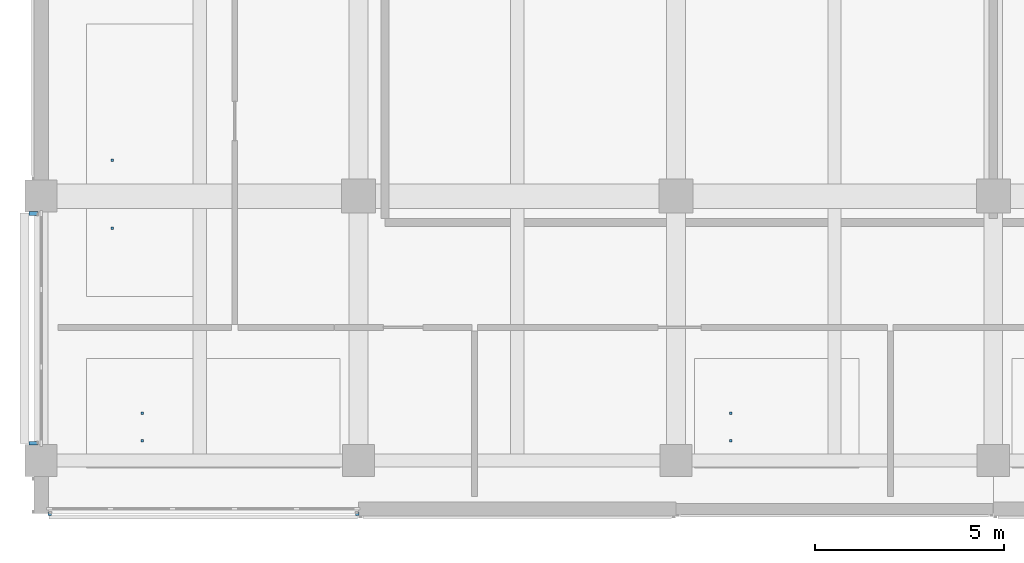
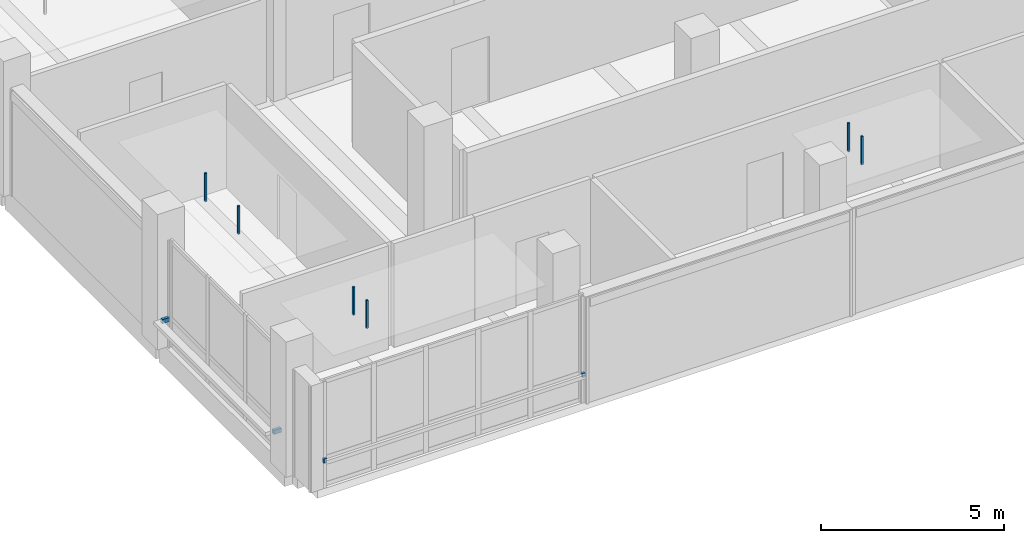
# One storey, part 14 of 36: 10 discrete accessories.
"""IFC4 building model written with IfcOpenShell, lengths in metres."""

from ifc_helpers import new_model, si_unit, direction, frame, origin, origin_2d, place, context, subcontext, project, spatial, rectangle, extrude, material, type_object, element, save


model = new_model("IFC4")

# Units and contexts
model_context = context("Model", 3, precision=1e-05, world=origin(), true_north=direction((0.0, 1.0)))
body_context = subcontext(model_context, "Body", "Model", "MODEL_VIEW")
ifc_project = project(units=[si_unit("LENGTHUNIT", "METRE"), si_unit("AREAUNIT", "SQUARE_METRE"), si_unit("VOLUMEUNIT", "CUBIC_METRE"), si_unit("PLANEANGLEUNIT", "RADIAN"), si_unit("MASSUNIT", "GRAM", prefix="KILO")], contexts=[model_context])

# Site, building, storey
site_placement = place(None, origin())
site = spatial("IfcSite", under=ifc_project, at=site_placement, CompositionType="ELEMENT")
building_placement = place(site_placement, origin())
building = spatial("IfcBuilding", under=site, at=building_placement, Name="Telukmera Botanical Conservatory", CompositionType="ELEMENT")
storey_placement = place(building_placement, frame((0.0, 0.0, 24.0)))
storey = spatial("IfcBuildingStorey", under=building, at=storey_placement, Name="L05", CompositionType="ELEMENT", Elevation=24.0)

# Discrete accessories
ifc_material = material(Name="Steel S355", Category="steel")
discrete_accessory_type_1 = type_object("IfcDiscreteAccessoryType", Name="ACC-CEIL-HGR", PredefinedType="BRACKET", material=ifc_material)
for number, where, z_axis, x_axis, name in (
    (1, (52.281982421875, 16.75, 3.320068359375), (0.0, 0.0, 1.0), (1.0, 0.0, 0.0), "L05 Suspended Ceiling Hanger Rod 027-1"),
    (2, (52.281982421875, 18.550048828125, 3.320068359375), (0.0, 0.0, 1.0), (1.0, 0.0, 0.0), "L05 Suspended Ceiling Hanger Rod 027-2"),
    (3, (53.0751953125, 11.125, 3.320068359375), (0.0, 0.0, 1.0), (1.0, 0.0, 0.0), "L05 Suspended Ceiling Hanger Rod 031-1"),
    (4, (53.0751953125, 11.85009765625, 3.320068359375), (0.0, 0.0, 1.0), (1.0, 0.0, 0.0), "L05 Suspended Ceiling Hanger Rod 031-2"),
):
    element("IfcDiscreteAccessory", number, at=place(storey_placement, frame(where, z_axis=z_axis, x_axis=x_axis)), inside=storey, type_object=discrete_accessory_type_1, Name=name, PredefinedType="BRACKET", context=body_context, shape_type="SweptSolid", body=[
        extrude(rectangle(XDim=0.06005859375, YDim=0.06005859375, at=origin_2d()), origin(), (0.0, 0.0, 1.0), 0.93505859375),
    ])
for number, where, z_axis, x_axis, name in (
    (5, (68.653076171875, 11.125, 3.31005859375), (0.0, 0.0, 1.0), (1.0, 0.0, 0.0), "L05 Suspended Ceiling Hanger Rod 032-1"),
    (6, (68.653076171875, 11.85009765625, 3.31005859375), (0.0, 0.0, 1.0), (1.0, 0.0, 0.0), "L05 Suspended Ceiling Hanger Rod 032-2"),
):
    element("IfcDiscreteAccessory", number, at=place(storey_placement, frame(where, z_axis=z_axis, x_axis=x_axis)), inside=storey, type_object=discrete_accessory_type_1, Name=name, PredefinedType="BRACKET", context=body_context, shape_type="SweptSolid", body=[
        extrude(rectangle(XDim=0.06005859375, YDim=0.06005859375, at=origin_2d()), origin(), (0.0, 0.0, 1.0), 0.945068359375),
    ])
discrete_accessory_type_2 = type_object("IfcDiscreteAccessoryType", Name="Structural Steel Facade Outrigger Fin Bracket", PredefinedType="BRACKET", material=ifc_material)
for number, where, z_axis, x_axis, name in (
    (7, (50.62451171875, 9.195068359375, 0.8798828125), (0.0, 0.0, 1.0), (1.0, 0.0, 0.0), "Facade Outrigger Bracket V4:L05:S1 A"),
    (8, (58.765380859375, 9.195068359375, 0.8798828125), (0.0, 0.0, 1.0), (1.0, 0.0, 0.0), "Facade Outrigger Bracket V4:L05:S1 B"),
):
    element("IfcDiscreteAccessory", number, at=place(storey_placement, frame(where, z_axis=z_axis, x_axis=x_axis)), inside=storey, type_object=discrete_accessory_type_2, Name=name, PredefinedType="BRACKET", context=body_context, shape_type="SweptSolid", body=[
        extrude(rectangle(XDim=0.10009765625, YDim=0.090087890625, at=origin_2d()), origin(), (0.0, 0.0, 1.0), 0.139892578125),
    ])
for number, where, z_axis, x_axis, name in (
    (9, (50.199951171875, 11.0595703125, 0.8798828125), (0.0, 0.0, 1.0), (0.0, 1.0, 0.0), "Facade Outrigger Bracket V4:L05:W1 A"),
    (10, (50.199951171875, 17.140380859375, 0.8798828125), (0.0, 0.0, 1.0), (0.0, 1.0, 0.0), "Facade Outrigger Bracket V4:L05:W1 B"),
):
    element("IfcDiscreteAccessory", number, at=place(storey_placement, frame(where, z_axis=z_axis, x_axis=x_axis)), inside=storey, type_object=discrete_accessory_type_2, Name=name, PredefinedType="BRACKET", context=body_context, shape_type="SweptSolid", body=[
        extrude(rectangle(XDim=0.10009765625, YDim=0.239990234375, at=origin_2d()), origin(), (0.0, 0.0, 1.0), 0.139892578125),
    ])

save(model, "model.ifc")
